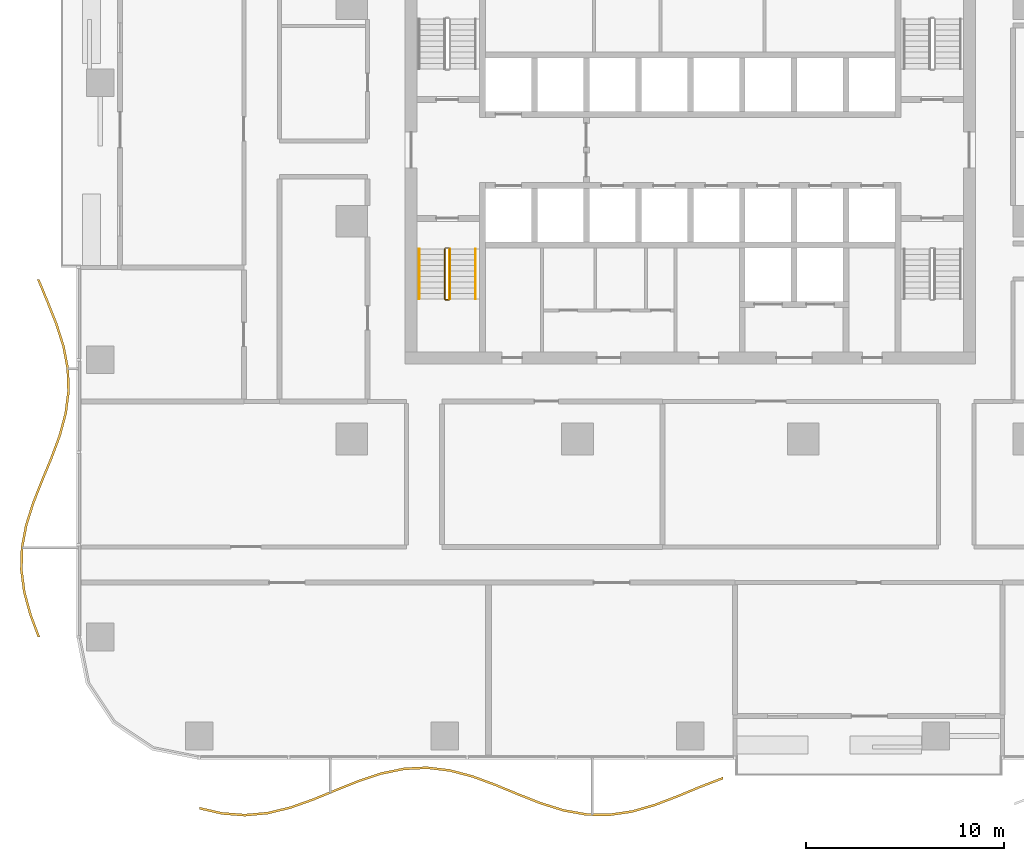
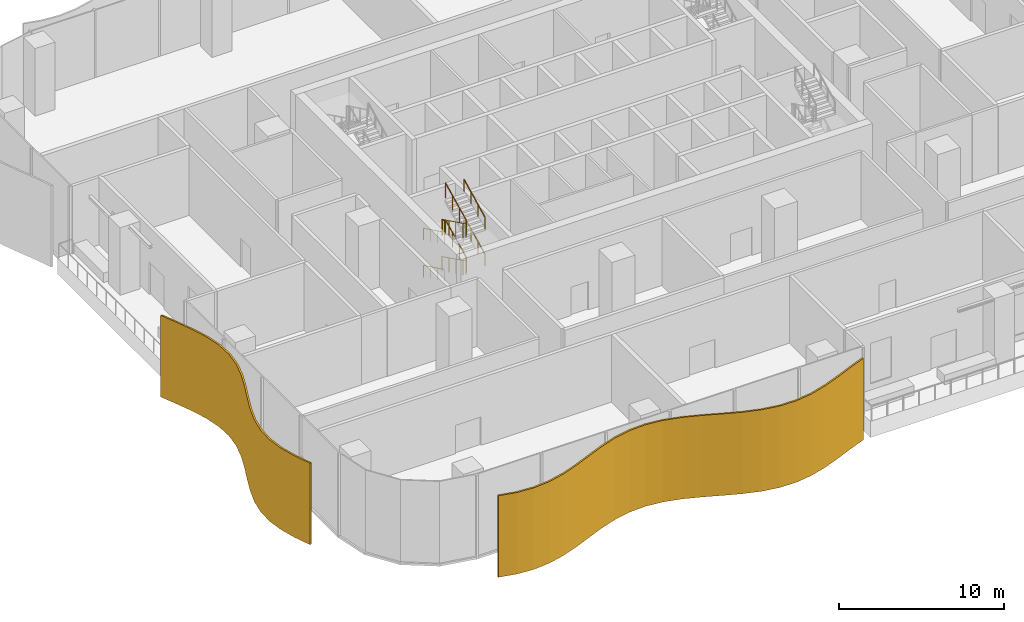
# One storey, part 15 of 21: 8 railings, 2 shading devices.
"""IFC4 building model written with IfcOpenShell, lengths in metres."""

from ifc_helpers import new_model, si_unit, direction, frame, origin, origin_2d, place, context, subcontext, project, spatial, polyline, circle, outline, extrude, material, layer, layer_set, type_object, element, save


model = new_model("IFC4")

# Units and contexts
model_context = context("Model", 3, precision=1e-05, world=origin(), true_north=direction((0.0, 1.0)))
body_context = subcontext(model_context, "Body", "Model", "MODEL_VIEW")
ifc_project = project(units=[si_unit("LENGTHUNIT", "METRE"), si_unit("AREAUNIT", "SQUARE_METRE"), si_unit("VOLUMEUNIT", "CUBIC_METRE"), si_unit("PLANEANGLEUNIT", "RADIAN"), si_unit("MASSUNIT", "GRAM", prefix="KILO")], contexts=[model_context])

# Site, building, storey
site_placement = place(None, origin())
site = spatial("IfcSite", under=ifc_project, at=site_placement, CompositionType="ELEMENT")
building_placement = place(site_placement, origin())
building = spatial("IfcBuilding", under=site, at=building_placement, Name="Mopane Tessera Tower", CompositionType="ELEMENT")
storey_placement = place(building_placement, frame((0.0, 0.0, 9.0)))
storey = spatial("IfcBuildingStorey", under=building, at=storey_placement, Name="L01", CompositionType="ELEMENT", Elevation=9.0)

# Railings
ifc_material_1 = material(Name="Powder-coated steel balustrade", Category="steel")
railing_type_1 = type_object("IfcRailingType", Name="Escape stair guard 1100 mm", PredefinedType="GUARDRAIL", material=ifc_material_1)
railing_1_placement = place(storey_placement, frame((-12.39990234375, -1.39990234375, 0.137451171875)))
element("IfcRailing", 1, at=railing_1_placement, inside=storey, type_object=railing_type_1, Name="L01 ST1 stair guard 1", PredefinedType="GUARDRAIL", context=body_context, shape_type="SweptSolid", body=[
    extrude(circle(Radius=0.02392578125, at=origin_2d()), frame((0.0, 0.0, 1.076171875), z_axis=(0.0, -0.897604431175, 0.440801866075), x_axis=(1.0, 0.0, 0.0)), (0.0, 0.0, 1.0), 2.807373046875),
    extrude(circle(Radius=0.02392578125, at=origin_2d()), frame((0.0, -2.52001953125, 2.3134765625), z_axis=(0.705375805398, -0.708833529934, 0.0), x_axis=(0.708833529934, 0.705375805398, 0.0)), (0.0, 0.0, 1.0), 0.070556640625),
    extrude(circle(Radius=0.02392578125, at=origin_2d()), frame((0.0498046875, -2.570068359375, 2.3134765625), z_axis=(1.0, 0.0, 0.0), x_axis=(0.0, 1.0, 0.0)), (0.0, 0.0, 1.0), 0.150146484375),
    extrude(circle(Radius=0.02099609375, at=origin_2d()), origin(), (0.0, 0.0, 1.0), 1.052001953125),
    extrude(circle(Radius=0.02099609375, at=origin_2d()), frame((0.0, -0.840087890625, 0.41259765625)), (0.0, 0.0, 1.0), 1.052001953125),
    extrude(circle(Radius=0.02099609375, at=origin_2d()), frame((0.0, -1.679931640625, 0.824951171875)), (0.0, 0.0, 1.0), 1.052001953125),
    extrude(circle(Radius=0.02099609375, at=origin_2d()), frame((0.0, -2.52001953125, 1.237548828125)), (0.0, 0.0, 1.0), 1.052001953125),
    extrude(circle(Radius=0.02099609375, at=origin_2d()), frame((0.0498046875, -2.570068359375, 1.237548828125)), (0.0, 0.0, 1.0), 1.052001953125),
    extrude(circle(Radius=0.02099609375, at=origin_2d()), frame((0.199951171875, -2.570068359375, 1.237548828125)), (0.0, 0.0, 1.0), 1.052001953125),
])
railing_2_placement = place(storey_placement, frame((-12.14990234375, -3.919921875, 1.512451171875)))
element("IfcRailing", 2, at=railing_2_placement, inside=storey, type_object=railing_type_1, Name="L01 ST1 stair guard 2", PredefinedType="GUARDRAIL", context=body_context, shape_type="SweptSolid", body=[
    extrude(circle(Radius=0.02392578125, at=origin_2d()), frame((0.0, 0.0, 1.076171875), z_axis=(0.0, 0.897604431175, 0.440801866075), x_axis=(-1.0, 0.0, 0.0)), (0.0, 0.0, 1.0), 2.807373046875),
    extrude(circle(Radius=0.02392578125, at=origin_2d()), frame((0.0, 2.52001953125, 2.3134765625), z_axis=(-0.708833529934, 0.705375805398, 0.0), x_axis=(-0.705375805398, -0.708833529934, 0.0)), (0.0, 0.0, 1.0), 0.070556640625),
    extrude(circle(Radius=0.02392578125, at=origin_2d()), frame((-0.050048828125, 2.56982421875, 2.3134765625), z_axis=(-1.0, 0.0, 0.0), x_axis=(0.0, -1.0, 0.0)), (0.0, 0.0, 1.0), 0.150146484375),
    extrude(circle(Radius=0.02099609375, at=origin_2d()), origin(), (0.0, 0.0, 1.0), 1.052001953125),
    extrude(circle(Radius=0.02099609375, at=origin_2d()), frame((0.0, 0.840087890625, 0.41259765625)), (0.0, 0.0, 1.0), 1.052001953125),
    extrude(circle(Radius=0.02099609375, at=origin_2d()), frame((0.0, 1.679931640625, 0.824951171875)), (0.0, 0.0, 1.0), 1.052001953125),
    extrude(circle(Radius=0.02099609375, at=origin_2d()), frame((0.0, 2.52001953125, 1.237548828125)), (0.0, 0.0, 1.0), 1.052001953125),
    extrude(circle(Radius=0.02099609375, at=origin_2d()), frame((-0.050048828125, 2.56982421875, 1.237548828125)), (0.0, 0.0, 1.0), 1.052001953125),
    extrude(circle(Radius=0.02099609375, at=origin_2d()), frame((-0.2001953125, 2.56982421875, 1.237548828125)), (0.0, 0.0, 1.0), 1.052001953125),
])
railing_3_placement = place(storey_placement, frame((-12.39990234375, -1.39990234375, 2.887451171875)))
element("IfcRailing", 3, at=railing_3_placement, inside=storey, type_object=railing_type_1, Name="L01 ST1 stair guard 3", PredefinedType="GUARDRAIL", context=body_context, shape_type="SweptSolid", body=[
    extrude(circle(Radius=0.02392578125, at=origin_2d()), frame((0.0, 0.0, 1.076171875), z_axis=(0.0, -0.897604431175, 0.440801866075), x_axis=(1.0, 0.0, 0.0)), (0.0, 0.0, 1.0), 2.807373046875),
    extrude(circle(Radius=0.02392578125, at=origin_2d()), frame((0.0, -2.52001953125, 2.3134765625), z_axis=(0.705375805398, -0.708833529934, 0.0), x_axis=(0.708833529934, 0.705375805398, 0.0)), (0.0, 0.0, 1.0), 0.070556640625),
    extrude(circle(Radius=0.02392578125, at=origin_2d()), frame((0.0498046875, -2.570068359375, 2.3134765625), z_axis=(1.0, 0.0, 0.0), x_axis=(0.0, 1.0, 0.0)), (0.0, 0.0, 1.0), 0.150146484375),
    extrude(circle(Radius=0.02099609375, at=origin_2d()), origin(), (0.0, 0.0, 1.0), 1.052001953125),
    extrude(circle(Radius=0.02099609375, at=origin_2d()), frame((0.0, -0.840087890625, 0.41259765625)), (0.0, 0.0, 1.0), 1.052001953125),
    extrude(circle(Radius=0.02099609375, at=origin_2d()), frame((0.0, -1.679931640625, 0.824951171875)), (0.0, 0.0, 1.0), 1.052001953125),
    extrude(circle(Radius=0.02099609375, at=origin_2d()), frame((0.0, -2.52001953125, 1.237548828125)), (0.0, 0.0, 1.0), 1.052001953125),
    extrude(circle(Radius=0.02099609375, at=origin_2d()), frame((0.0498046875, -2.570068359375, 1.237548828125)), (0.0, 0.0, 1.0), 1.052001953125),
    extrude(circle(Radius=0.02099609375, at=origin_2d()), frame((0.199951171875, -2.570068359375, 1.237548828125)), (0.0, 0.0, 1.0), 1.052001953125),
])
railing_4_placement = place(storey_placement, frame((-12.14990234375, -3.919921875, 4.262451171875)))
element("IfcRailing", 4, at=railing_4_placement, inside=storey, type_object=railing_type_1, Name="L01 ST1 stair guard 4", PredefinedType="GUARDRAIL", context=body_context, shape_type="SweptSolid", body=[
    extrude(circle(Radius=0.02392578125, at=origin_2d()), frame((0.0, 0.0, 1.076171875), z_axis=(0.0, 0.897604431175, 0.440801866075), x_axis=(-1.0, 0.0, 0.0)), (0.0, 0.0, 1.0), 2.807373046875),
    extrude(circle(Radius=0.02099609375, at=origin_2d()), origin(), (0.0, 0.0, 1.0), 1.052001953125),
    extrude(circle(Radius=0.02099609375, at=origin_2d()), frame((0.0, 0.840087890625, 0.41259765625)), (0.0, 0.0, 1.0), 1.052001953125),
    extrude(circle(Radius=0.02099609375, at=origin_2d()), frame((0.0, 1.679931640625, 0.824951171875)), (0.0, 0.0, 1.0), 1.052001953125),
    extrude(circle(Radius=0.02099609375, at=origin_2d()), frame((0.0, 2.52001953125, 1.237548828125)), (0.0, 0.0, 1.0), 1.052001953125),
])
ifc_material_2 = material(Name="Powder-coated steel balustrade", Category="steel")
railing_type_2 = type_object("IfcRailingType", Name="Escape stair handrail 900 mm", PredefinedType="HANDRAIL", material=ifc_material_2)
railing_5_placement = place(storey_placement, frame((-13.699951171875, -1.39990234375, 0.137451171875)))
element("IfcRailing", 5, at=railing_5_placement, inside=storey, type_object=railing_type_2, Name="L01 ST1 stair handrail 1", PredefinedType="HANDRAIL", context=body_context, shape_type="SweptSolid", body=[
    extrude(circle(Radius=0.02392578125, at=origin_2d()), frame((0.0, 0.0, 0.8759765625), z_axis=(0.0, -0.897604431175, 0.440801866075), x_axis=(1.0, 0.0, 0.0)), (0.0, 0.0, 1.0), 2.807373046875),
    extrude(circle(Radius=0.02099609375, at=origin_2d()), origin(), (0.0, 0.0, 1.0), 0.851806640625),
    extrude(circle(Radius=0.02099609375, at=origin_2d()), frame((0.0, -0.840087890625, 0.41259765625)), (0.0, 0.0, 1.0), 0.851806640625),
    extrude(circle(Radius=0.02099609375, at=origin_2d()), frame((0.0, -1.679931640625, 0.824951171875)), (0.0, 0.0, 1.0), 0.851806640625),
    extrude(circle(Radius=0.02099609375, at=origin_2d()), frame((0.0, -2.52001953125, 1.237548828125)), (0.0, 0.0, 1.0), 0.851806640625),
])
railing_6_placement = place(storey_placement, frame((-10.85009765625, -3.919921875, 1.512451171875)))
element("IfcRailing", 6, at=railing_6_placement, inside=storey, type_object=railing_type_2, Name="L01 ST1 stair handrail 2", PredefinedType="HANDRAIL", context=body_context, shape_type="SweptSolid", body=[
    extrude(circle(Radius=0.02392578125, at=origin_2d()), frame((0.0, 0.0, 0.8759765625), z_axis=(0.0, 0.897604431175, 0.440801866075), x_axis=(-1.0, 0.0, 0.0)), (0.0, 0.0, 1.0), 2.807373046875),
    extrude(circle(Radius=0.02099609375, at=origin_2d()), origin(), (0.0, 0.0, 1.0), 0.851806640625),
    extrude(circle(Radius=0.02099609375, at=origin_2d()), frame((0.0, 0.840087890625, 0.41259765625)), (0.0, 0.0, 1.0), 0.851806640625),
    extrude(circle(Radius=0.02099609375, at=origin_2d()), frame((0.0, 1.679931640625, 0.824951171875)), (0.0, 0.0, 1.0), 0.851806640625),
    extrude(circle(Radius=0.02099609375, at=origin_2d()), frame((0.0, 2.52001953125, 1.237548828125)), (0.0, 0.0, 1.0), 0.851806640625),
])
railing_7_placement = place(storey_placement, frame((-13.699951171875, -1.39990234375, 2.887451171875)))
element("IfcRailing", 7, at=railing_7_placement, inside=storey, type_object=railing_type_2, Name="L01 ST1 stair handrail 3", PredefinedType="HANDRAIL", context=body_context, shape_type="SweptSolid", body=[
    extrude(circle(Radius=0.02392578125, at=origin_2d()), frame((0.0, 0.0, 0.8759765625), z_axis=(0.0, -0.897604431175, 0.440801866075), x_axis=(1.0, 0.0, 0.0)), (0.0, 0.0, 1.0), 2.807373046875),
    extrude(circle(Radius=0.02099609375, at=origin_2d()), origin(), (0.0, 0.0, 1.0), 0.851806640625),
    extrude(circle(Radius=0.02099609375, at=origin_2d()), frame((0.0, -0.840087890625, 0.41259765625)), (0.0, 0.0, 1.0), 0.851806640625),
    extrude(circle(Radius=0.02099609375, at=origin_2d()), frame((0.0, -1.679931640625, 0.824951171875)), (0.0, 0.0, 1.0), 0.851806640625),
    extrude(circle(Radius=0.02099609375, at=origin_2d()), frame((0.0, -2.52001953125, 1.237548828125)), (0.0, 0.0, 1.0), 0.851806640625),
])
railing_8_placement = place(storey_placement, frame((-10.85009765625, -3.919921875, 4.262451171875)))
element("IfcRailing", 8, at=railing_8_placement, inside=storey, type_object=railing_type_2, Name="L01 ST1 stair handrail 4", PredefinedType="HANDRAIL", context=body_context, shape_type="SweptSolid", body=[
    extrude(circle(Radius=0.02392578125, at=origin_2d()), frame((0.0, 0.0, 0.8759765625), z_axis=(0.0, 0.897604431175, 0.440801866075), x_axis=(-1.0, 0.0, 0.0)), (0.0, 0.0, 1.0), 2.807373046875),
    extrude(circle(Radius=0.02099609375, at=origin_2d()), origin(), (0.0, 0.0, 1.0), 0.851806640625),
    extrude(circle(Radius=0.02099609375, at=origin_2d()), frame((0.0, 0.840087890625, 0.41259765625)), (0.0, 0.0, 1.0), 0.851806640625),
    extrude(circle(Radius=0.02099609375, at=origin_2d()), frame((0.0, 1.679931640625, 0.824951171875)), (0.0, 0.0, 1.0), 0.851806640625),
    extrude(circle(Radius=0.02099609375, at=origin_2d()), frame((0.0, 2.52001953125, 1.237548828125)), (0.0, 0.0, 1.0), 0.851806640625),
])

# Shading devices
ifc_material_3 = material(Name="Anodised aluminium louvre blades", Category="aluminium")
ifc_layer = layer(ifc_material_3, 0.1201171875)
ifc_layer_set = layer_set([ifc_layer], Name="Anodised aluminium louvre blades")
shading_device_type = type_object("IfcShadingDeviceType", Name="Wave louvre screen", PredefinedType="JALOUSIE", material=ifc_layer_set)
shading_device_1_placement = place(storey_placement, frame((0.0, 0.0, -1.0400390625)))
element("IfcShadingDevice", 9, at=shading_device_1_placement, inside=storey, type_object=shading_device_type, Name="e:lv:L01:S:0", PredefinedType="JALOUSIE", context=body_context, shape_type="SweptSolid", body=[
    extrude(outline(polyline([(-24.800048828125, -29.588623046875), (-23.64990234375, -29.8525390625), (-22.49951171875, -29.939697265625), (-21.349365234375, -29.836181640625), (-20.19921875, -29.55810546875), (-19.049072265625, -29.150146484375), (-17.89892578125, -28.6767578125), (-16.74853515625, -28.21337890625), (-15.598388671875, -27.833984375), (-14.4482421875, -27.598388671875), (-13.298095703125, -27.544677734375), (-12.147705078125, -27.680908203125), (-10.99755859375, -27.985595703125), (-9.847412109375, -28.41015625), (-8.697265625, -28.887451171875), (-7.547119140625, -29.341064453125), (-6.396728515625, -29.69921875), (-5.24658203125, -29.90478515625), (-4.096435546875, -29.925048828125), (-2.9462890625, -29.7568359375), (-1.796142578125, -29.427001953125), (-0.645751953125, -28.98779296875), (0.50439453125, -28.50927734375), (1.654541015625, -28.0673828125), (1.654541015625, -28.1875), (0.50439453125, -28.629150390625), (-0.645751953125, -29.10791015625), (-1.796142578125, -29.546875), (-2.9462890625, -29.876708984375), (-4.096435546875, -30.044921875), (-5.24658203125, -30.024658203125), (-6.396728515625, -29.819091796875), (-7.547119140625, -29.461181640625), (-8.697265625, -29.00732421875), (-9.847412109375, -28.5302734375), (-10.99755859375, -28.10546875), (-12.147705078125, -27.80078125), (-13.298095703125, -27.66455078125), (-14.4482421875, -27.718505859375), (-15.598388671875, -27.953857421875), (-16.74853515625, -28.33349609375), (-17.89892578125, -28.796630859375), (-19.049072265625, -29.27001953125), (-20.19921875, -29.67822265625), (-21.349365234375, -29.9560546875), (-22.49951171875, -30.059814453125), (-23.64990234375, -29.97265625), (-24.800048828125, -29.70849609375), (-24.800048828125, -29.588623046875)])), origin(), (0.0, 0.0, 1.0), 6.0400390625),
])
shading_device_2_placement = place(storey_placement, frame((0.0, 0.0, -1.0400390625)))
element("IfcShadingDevice", 10, at=shading_device_2_placement, inside=storey, type_object=shading_device_type, Name="e:lv:L01:W:1", PredefinedType="JALOUSIE", context=body_context, shape_type="SweptSolid", body=[
    extrude(outline(polyline([(-32.87744140625, -2.933349609375), (-32.409423828125, -4.0625), (-31.961181640625, -5.191650390625), (-31.60205078125, -6.32080078125), (-31.386474609375, -7.449951171875), (-31.347900390625, -8.5791015625), (-31.4921875, -9.708251953125), (-31.797119140625, -10.83740234375), (-32.216064453125, -11.966552734375), (-32.6845703125, -13.095947265625), (-33.130859375, -14.22509765625), (-33.486572265625, -15.354248046875), (-33.697265625, -16.4833984375), (-33.73046875, -17.612548828125), (-33.5810546875, -18.74169921875), (-33.27197265625, -19.870849609375), (-32.8505859375, -21.0), (-32.970703125, -21.0), (-33.391845703125, -19.870849609375), (-33.700927734375, -18.74169921875), (-33.850341796875, -17.612548828125), (-33.8173828125, -16.4833984375), (-33.606689453125, -15.354248046875), (-33.2509765625, -14.22509765625), (-32.804443359375, -13.095947265625), (-32.3359375, -11.966552734375), (-31.9169921875, -10.83740234375), (-31.612060546875, -9.708251953125), (-31.468017578125, -8.5791015625), (-31.506591796875, -7.449951171875), (-31.721923828125, -6.32080078125), (-32.081298828125, -5.191650390625), (-32.529296875, -4.0625), (-32.99755859375, -2.933349609375), (-32.87744140625, -2.933349609375)])), origin(), (0.0, 0.0, 1.0), 6.0400390625),
])

save(model, "model.ifc")
